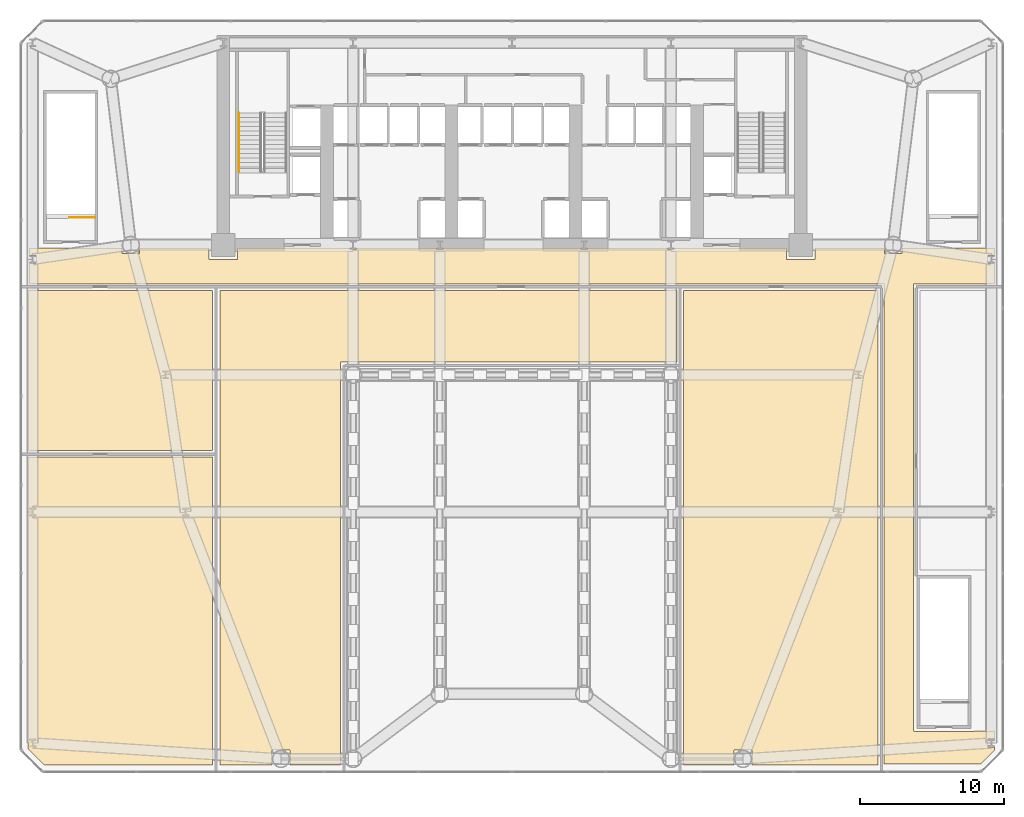
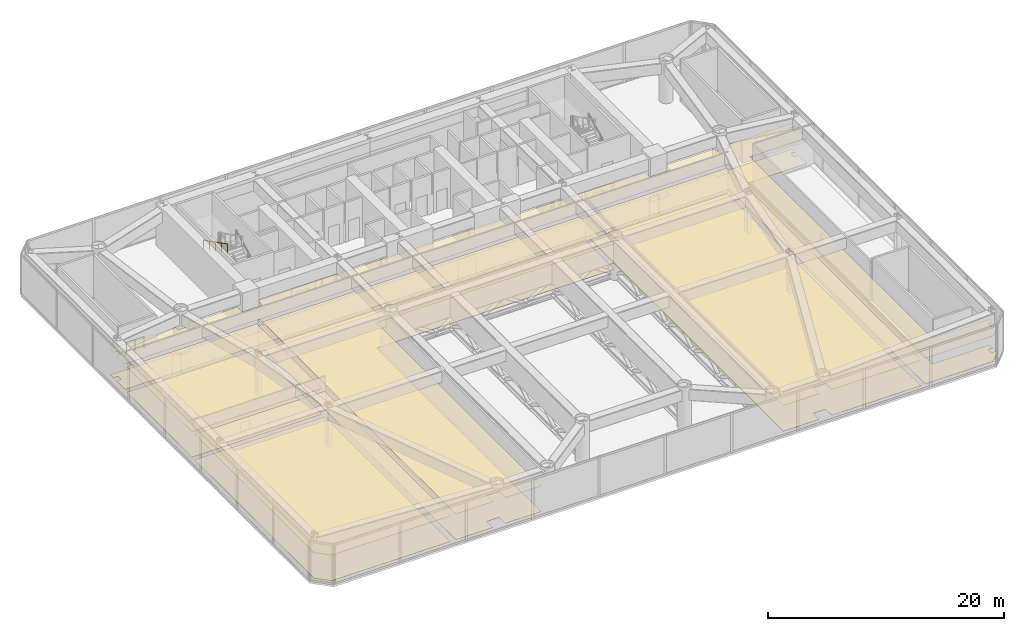
# One storey, part 18 of 21: 10 coverings, 2 railings.
"""IFC4 building model written with IfcOpenShell, lengths in metres."""

from ifc_helpers import new_model, si_unit, direction, frame, origin, origin_2d, place, context, subcontext, project, spatial, polyline, circle, outline, extrude, material, layer, layer_set, type_object, element, save


model = new_model("IFC4")

# Units and contexts
model_context = context("Model", 3, precision=1e-05, world=origin(), true_north=direction((0.0, 1.0)))
body_context = subcontext(model_context, "Body", "Model", "MODEL_VIEW")
ifc_project = project(units=[si_unit("LENGTHUNIT", "METRE"), si_unit("AREAUNIT", "SQUARE_METRE"), si_unit("VOLUMEUNIT", "CUBIC_METRE"), si_unit("PLANEANGLEUNIT", "RADIAN"), si_unit("MASSUNIT", "GRAM", prefix="KILO")], contexts=[model_context])

# Site, building, storey
site_placement = place(None, origin())
site = spatial("IfcSite", under=ifc_project, at=site_placement, CompositionType="ELEMENT")
building_placement = place(site_placement, origin())
building = spatial("IfcBuilding", under=site, at=building_placement, Name="Vaeldorn Concourse Tower", CompositionType="ELEMENT")
storey_placement = place(building_placement, frame((0.0, 0.0, 14.39990234375)))
storey = spatial("IfcBuildingStorey", under=building, at=storey_placement, Name="L03", CompositionType="ELEMENT", Elevation=14.39990234375)

# Coverings
ifc_material_1 = material(Name="Acoustic Mineral Fibre Board", Category="gypsum")
ifc_layer_1 = layer(ifc_material_1, 0.0400390625)
ifc_layer_set_1 = layer_set([ifc_layer_1], Name="Acoustic Mineral Fibre Board")
covering_type_1 = type_object("IfcCoveringType", Name="COV-CEIL-ACOUSTIC", PredefinedType="CEILING", material=ifc_layer_set_1)
covering_1_placement = place(storey_placement, frame((0.0, 0.0, 2.650146484375)))
element("IfcCovering", 1, at=covering_1_placement, inside=storey, type_object=covering_type_1, Name="Suspended Acoustic Ceiling L03-3", PredefinedType="CEILING", context=body_context, shape_type="SweptSolid", body=[
    extrude(outline(polyline([(6.990478515625, 36.300048828125), (6.990478515625, 35.890380859375), (8.20947265625, 35.890380859375), (8.20947265625, 36.300048828125), (13.0, 36.300048828125), (13.0, 35.5), (15.0, 35.5), (15.0, 36.300048828125), (22.77294921875, 36.300048828125), (22.77294921875, 36.215576171875), (23.22705078125, 36.215576171875), (23.22705078125, 36.300048828125), (28.77294921875, 36.300048828125), (28.77294921875, 36.215576171875), (29.22705078125, 36.215576171875), (29.22705078125, 36.300048828125), (38.77294921875, 36.300048828125), (38.77294921875, 36.215576171875), (39.22705078125, 36.215576171875), (39.22705078125, 36.300048828125), (44.77294921875, 36.300048828125), (44.77294921875, 36.215576171875), (45.22705078125, 36.215576171875), (45.22705078125, 36.300048828125), (53.0, 36.300048828125), (53.0, 35.5), (55.0, 35.5), (55.0, 36.300048828125), (59.79052734375, 36.300048828125), (59.79052734375, 35.890380859375), (61.009521484375, 35.890380859375), (61.009521484375, 36.300048828125), (67.419921875, 36.300048828125), (67.419921875, 35.765380859375), (66.97900390625, 35.765380859375), (66.97900390625, 35.234619140625), (67.419921875, 35.234619140625), (67.419921875, 33.780029296875), (61.820068359375, 33.780029296875), (61.820068359375, 2.820068359375), (61.85009765625, 2.820068359375), (61.85009765625, 2.800048828125), (66.0, 2.800048828125), (66.0, 2.820068359375), (67.419921875, 2.820068359375), (67.419921875, 2.265380859375), (66.97900390625, 2.265380859375), (66.97900390625, 1.734619140625), (67.419921875, 1.734619140625), (67.419921875, 1.485595703125), (66.46435546875, 0.530029296875), (59.780029296875, 0.530029296875), (59.780029296875, 33.780029296875), (0.580078125, 33.780029296875), (0.580078125, 35.234619140625), (1.02099609375, 35.234619140625), (1.02099609375, 35.765380859375), (0.580078125, 35.765380859375), (0.580078125, 36.300048828125), (6.990478515625, 36.300048828125)])), origin(), (0.0, 0.0, 1.0), 0.0400390625),
])
covering_2_placement = place(storey_placement, frame((0.0, 0.0, 2.650146484375)))
element("IfcCovering", 2, at=covering_2_placement, inside=storey, type_object=covering_type_1, Name="Suspended Acoustic Ceiling L03-4", PredefinedType="CEILING", context=body_context, shape_type="SweptSolid", body=[
    extrude(outline(polyline([(13.760009765625, 33.340087890625), (45.43994140625, 33.340087890625), (45.43994140625, 28.39990234375), (22.1201171875, 28.39990234375), (22.1201171875, 0.47998046875), (18.609619140625, 0.47998046875), (18.609619140625, 1.509521484375), (17.390380859375, 1.509521484375), (17.390380859375, 0.47998046875), (13.760009765625, 0.47998046875), (13.760009765625, 33.340087890625)])), origin(), (0.0, 0.0, 1.0), 0.0400390625),
])
covering_3_placement = place(storey_placement, frame((0.0, 0.0, 2.650146484375)))
element("IfcCovering", 3, at=covering_3_placement, inside=storey, type_object=covering_type_1, Name="Suspended Acoustic Ceiling L03-5", PredefinedType="CEILING", context=body_context, shape_type="SweptSolid", body=[
    extrude(outline(polyline([(0.47998046875, 21.820068359375), (13.239990234375, 21.820068359375), (13.239990234375, 0.47998046875), (1.585693359375, 0.47998046875), (0.47998046875, 1.585693359375), (0.47998046875, 21.820068359375)])), origin(), (0.0, 0.0, 1.0), 0.0400390625),
])
covering_4_placement = place(storey_placement, frame((0.0, 0.0, 2.650146484375)))
element("IfcCovering", 4, at=covering_4_placement, inside=storey, type_object=covering_type_1, Name="Suspended Acoustic Ceiling L03-6", PredefinedType="CEILING", context=body_context, shape_type="SweptSolid", body=[
    extrude(outline(polyline([(0.47998046875, 33.340087890625), (13.239990234375, 33.340087890625), (13.239990234375, 22.260009765625), (0.47998046875, 22.260009765625), (0.47998046875, 33.340087890625)])), origin(), (0.0, 0.0, 1.0), 0.0400390625),
])
covering_5_placement = place(storey_placement, frame((0.0, 0.0, 2.650146484375)))
element("IfcCovering", 5, at=covering_5_placement, inside=storey, type_object=covering_type_1, Name="Suspended Acoustic Ceiling L03-7", PredefinedType="CEILING", context=body_context, shape_type="SweptSolid", body=[
    extrude(outline(polyline([(45.8798828125, 33.340087890625), (59.340087890625, 33.340087890625), (59.340087890625, 0.47998046875), (50.609619140625, 0.47998046875), (50.609619140625, 1.509521484375), (49.390380859375, 1.509521484375), (49.390380859375, 0.47998046875), (45.8798828125, 0.47998046875), (45.8798828125, 33.340087890625)])), origin(), (0.0, 0.0, 1.0), 0.0400390625),
])
ifc_material_2 = material(Name="Honed Limestone Terrazzo Flooring", Category="masonry")
ifc_layer_2 = layer(ifc_material_2, 0.0400390625)
ifc_layer_set_2 = layer_set([ifc_layer_2], Name="Honed Limestone Terrazzo Flooring")
covering_type_2 = type_object("IfcCoveringType", Name="COV-FLOOR-STONE", PredefinedType="FLOORING", material=ifc_layer_set_2)
covering_6_placement = place(storey_placement, origin())
element("IfcCovering", 6, at=covering_6_placement, inside=storey, type_object=covering_type_2, Name="Floor Finish Covering L03-3", PredefinedType="FLOORING", context=body_context, shape_type="SweptSolid", body=[
    extrude(outline(polyline([(6.990478515625, 36.300048828125), (6.990478515625, 35.890380859375), (8.20947265625, 35.890380859375), (8.20947265625, 36.300048828125), (13.0, 36.300048828125), (13.0, 35.5), (15.0, 35.5), (15.0, 36.300048828125), (22.77294921875, 36.300048828125), (22.77294921875, 36.215576171875), (23.22705078125, 36.215576171875), (23.22705078125, 36.300048828125), (28.77294921875, 36.300048828125), (28.77294921875, 36.215576171875), (29.22705078125, 36.215576171875), (29.22705078125, 36.300048828125), (38.77294921875, 36.300048828125), (38.77294921875, 36.215576171875), (39.22705078125, 36.215576171875), (39.22705078125, 36.300048828125), (44.77294921875, 36.300048828125), (44.77294921875, 36.215576171875), (45.22705078125, 36.215576171875), (45.22705078125, 36.300048828125), (53.0, 36.300048828125), (53.0, 35.5), (55.0, 35.5), (55.0, 36.300048828125), (59.79052734375, 36.300048828125), (59.79052734375, 35.890380859375), (61.009521484375, 35.890380859375), (61.009521484375, 36.300048828125), (67.419921875, 36.300048828125), (67.419921875, 35.765380859375), (66.97900390625, 35.765380859375), (66.97900390625, 35.234619140625), (67.419921875, 35.234619140625), (67.419921875, 33.780029296875), (61.820068359375, 33.780029296875), (61.820068359375, 2.820068359375), (61.85009765625, 2.820068359375), (61.85009765625, 2.800048828125), (66.0, 2.800048828125), (66.0, 2.820068359375), (67.419921875, 2.820068359375), (67.419921875, 2.265380859375), (66.97900390625, 2.265380859375), (66.97900390625, 1.734619140625), (67.419921875, 1.734619140625), (67.419921875, 1.485595703125), (66.46435546875, 0.530029296875), (59.780029296875, 0.530029296875), (59.780029296875, 33.780029296875), (0.580078125, 33.780029296875), (0.580078125, 35.234619140625), (1.02099609375, 35.234619140625), (1.02099609375, 35.765380859375), (0.580078125, 35.765380859375), (0.580078125, 36.300048828125), (6.990478515625, 36.300048828125)])), origin(), (0.0, 0.0, 1.0), 0.030029296875),
])
covering_7_placement = place(storey_placement, origin())
element("IfcCovering", 7, at=covering_7_placement, inside=storey, type_object=covering_type_2, Name="Floor Finish Covering L03-4", PredefinedType="FLOORING", context=body_context, shape_type="SweptSolid", body=[
    extrude(outline(polyline([(13.760009765625, 33.340087890625), (45.43994140625, 33.340087890625), (45.43994140625, 28.39990234375), (22.1201171875, 28.39990234375), (22.1201171875, 0.47998046875), (18.609619140625, 0.47998046875), (18.609619140625, 1.509521484375), (17.390380859375, 1.509521484375), (17.390380859375, 0.47998046875), (13.760009765625, 0.47998046875), (13.760009765625, 33.340087890625)])), origin(), (0.0, 0.0, 1.0), 0.030029296875),
])
covering_8_placement = place(storey_placement, origin())
element("IfcCovering", 8, at=covering_8_placement, inside=storey, type_object=covering_type_2, Name="Floor Finish Covering L03-5", PredefinedType="FLOORING", context=body_context, shape_type="SweptSolid", body=[
    extrude(outline(polyline([(0.47998046875, 21.820068359375), (13.239990234375, 21.820068359375), (13.239990234375, 0.47998046875), (1.585693359375, 0.47998046875), (0.47998046875, 1.585693359375), (0.47998046875, 21.820068359375)])), origin(), (0.0, 0.0, 1.0), 0.030029296875),
])
covering_9_placement = place(storey_placement, origin())
element("IfcCovering", 9, at=covering_9_placement, inside=storey, type_object=covering_type_2, Name="Floor Finish Covering L03-6", PredefinedType="FLOORING", context=body_context, shape_type="SweptSolid", body=[
    extrude(outline(polyline([(0.47998046875, 33.340087890625), (13.239990234375, 33.340087890625), (13.239990234375, 22.260009765625), (0.47998046875, 22.260009765625), (0.47998046875, 33.340087890625)])), origin(), (0.0, 0.0, 1.0), 0.030029296875),
])
covering_10_placement = place(storey_placement, origin())
element("IfcCovering", 10, at=covering_10_placement, inside=storey, type_object=covering_type_2, Name="Floor Finish Covering L03-7", PredefinedType="FLOORING", context=body_context, shape_type="SweptSolid", body=[
    extrude(outline(polyline([(45.8798828125, 33.340087890625), (59.340087890625, 33.340087890625), (59.340087890625, 0.47998046875), (50.609619140625, 0.47998046875), (50.609619140625, 1.509521484375), (49.390380859375, 1.509521484375), (49.390380859375, 0.47998046875), (45.8798828125, 0.47998046875), (45.8798828125, 33.340087890625)])), origin(), (0.0, 0.0, 1.0), 0.030029296875),
])

# Railings
ifc_material_3 = material(Name="Anodised Bronze Aluminium", Category="aluminium")
railing_type_1 = type_object("IfcRailingType", Name="RL-STAIR-GUARD", PredefinedType="GUARDRAIL", material=ifc_material_3)
railing_1_placement = place(storey_placement, frame((5.10009765625, 38.39990234375, 0.0)))
element("IfcRailing", 11, at=railing_1_placement, inside=storey, type_object=railing_type_1, Name="L03 ST-3 top well guard 1", PredefinedType="GUARDRAIL", context=body_context, shape_type="SweptSolid", body=[
    extrude(circle(Radius=0.02392578125, at=origin_2d()), frame((0.0, 0.0, 1.1259765625), z_axis=(-1.0, 0.0, 0.0), x_axis=(0.0, -1.0, 0.0)), (0.0, 0.0, 1.0), 1.75),
    extrude(circle(Radius=0.02099609375, at=origin_2d()), origin(), (0.0, 0.0, 1.0), 1.101806640625),
    extrude(circle(Radius=0.02099609375, at=origin_2d()), frame((-0.875, 0.0, 0.0)), (0.0, 0.0, 1.0), 1.101806640625),
    extrude(circle(Radius=0.02099609375, at=origin_2d()), frame((-1.75, 0.0, 0.0)), (0.0, 0.0, 1.0), 1.101806640625),
])
railing_type_2 = type_object("IfcRailingType", Name="RL-STAIR-HANDRAIL", PredefinedType="HANDRAIL", material=ifc_material_3)
railing_2_placement = place(storey_placement, frame((15.10009765625, 45.6298828125, 2.357177734375)))
element("IfcRailing", 12, at=railing_2_placement, inside=storey, type_object=railing_type_2, Name="L03 ST-1 stair handrail 2", PredefinedType="HANDRAIL", context=body_context, shape_type="SweptSolid", body=[
    extrude(circle(Radius=0.02392578125, at=origin_2d()), frame((0.0, 0.0, 0.8759765625), z_axis=(0.0, -0.891927692675, 0.452178052363), x_axis=(1.0, 0.0, 0.0)), (0.0, 0.0, 1.0), 4.51806640625),
    extrude(circle(Radius=0.02099609375, at=origin_2d()), origin(), (0.0, 0.0, 1.0), 0.851806640625),
    extrude(circle(Radius=0.02099609375, at=origin_2d()), frame((0.0, -1.00732421875, 0.5107421875)), (0.0, 0.0, 1.0), 0.851806640625),
    extrude(circle(Radius=0.02099609375, at=origin_2d()), frame((0.0, -2.014892578125, 1.021484375)), (0.0, 0.0, 1.0), 0.851806640625),
    extrude(circle(Radius=0.02099609375, at=origin_2d()), frame((0.0, -3.0224609375, 1.5322265625)), (0.0, 0.0, 1.0), 0.851806640625),
    extrude(circle(Radius=0.02099609375, at=origin_2d()), frame((0.0, -4.02978515625, 2.04296875)), (0.0, 0.0, 1.0), 0.851806640625),
])

save(model, "model.ifc")
